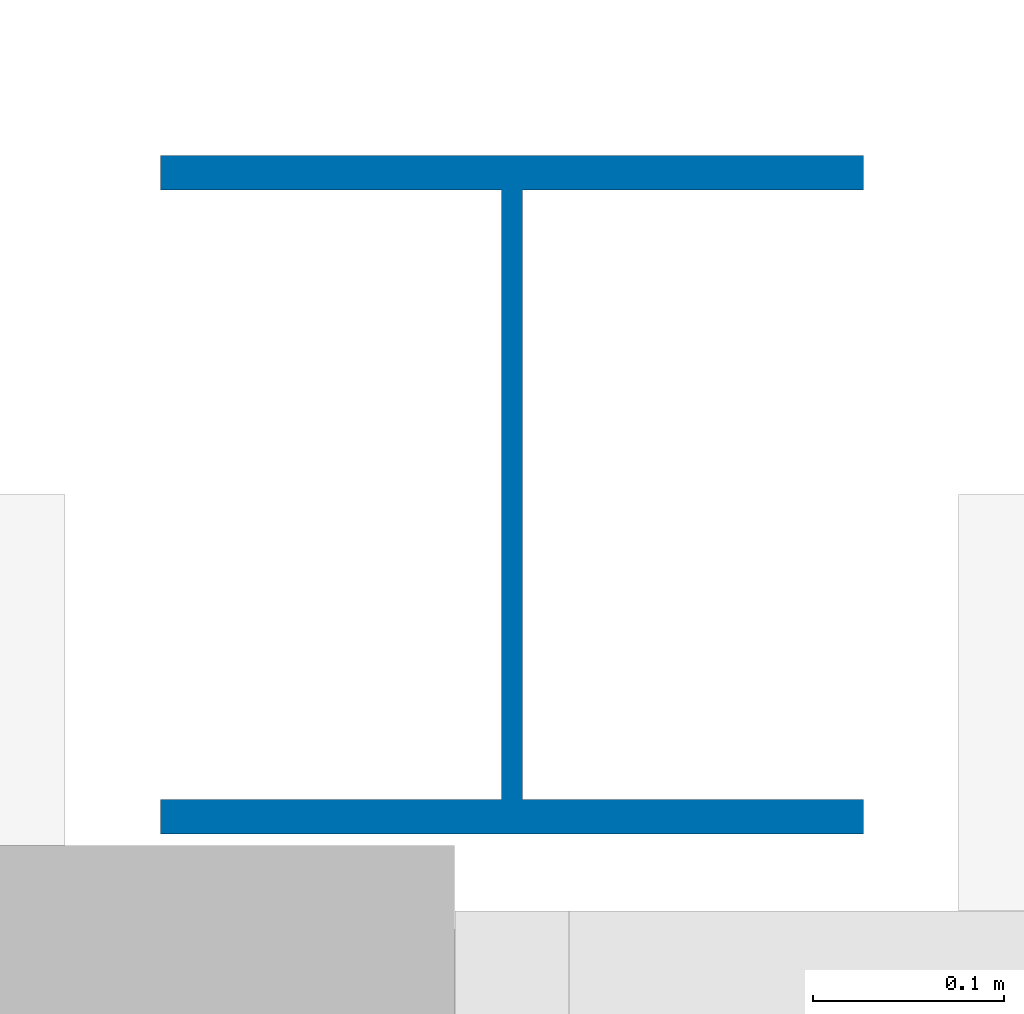
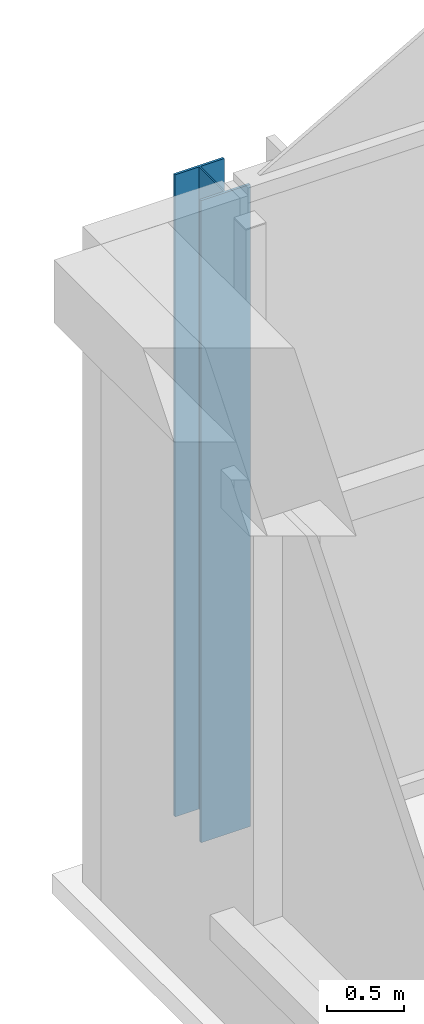
# One storey, part 11 of 93: 1 column.
"""IFC4 building model written with IfcOpenShell, lengths in metres."""

from ifc_helpers import new_model, si_unit, direction, frame, origin, origin_2d, place, context, subcontext, project, spatial, i_section, extrude, material, material_profile, profile_set, type_object, element, save


model = new_model("IFC4")

# Units and contexts
model_context = context("Model", 3, precision=1e-05, world=origin(), true_north=direction((0.0, 1.0)))
body_context = subcontext(model_context, "Body", "Model", "MODEL_VIEW")
ifc_project = project(units=[si_unit("LENGTHUNIT", "METRE"), si_unit("AREAUNIT", "SQUARE_METRE"), si_unit("VOLUMEUNIT", "CUBIC_METRE"), si_unit("PLANEANGLEUNIT", "RADIAN"), si_unit("MASSUNIT", "GRAM", prefix="KILO")], contexts=[model_context])

# Site, building, storey
site_placement = place(None, origin())
site = spatial("IfcSite", under=ifc_project, at=site_placement, CompositionType="ELEMENT")
building_placement = place(site_placement, origin())
building = spatial("IfcBuilding", under=site, at=building_placement, Name="Verrick Yard Athletic Hall", CompositionType="ELEMENT")
storey_placement = place(building_placement, frame((0.0, 0.0, 8.800048828125)))
storey = spatial("IfcBuildingStorey", under=building, at=storey_placement, Name="L02", CompositionType="ELEMENT", Elevation=8.800048828125)

# Column
ifc_material = material(Name="Structural steel 350W (CSA G40.21)", Category="steel")
ifc_material_profile = material_profile(ifc_material, i_section(OverallWidth=0.368896484375, OverallDepth=0.35595703125, WebThickness=0.01123046875, FlangeThickness=0.01806640625, at=origin_2d()), Name="W360x134")
ifc_profile_set = profile_set([ifc_material_profile], Name="Structural steel 350W (CSA G40.21)")
column_type = type_object("IfcColumnType", Name="HB column W360x134", PredefinedType="COLUMN", material=ifc_profile_set)
column_placement = place(storey_placement, frame((121.60009765625, 108.0, 0.0), z_axis=(0.0, 0.0, 1.0), x_axis=(1.0, 0.0, 0.0)))
element("IfcColumn", 1, at=column_placement, inside=storey, type_object=column_type, Name="HB-C-HAW6-L02", PredefinedType="COLUMN", context=body_context, shape_type="SweptSolid", body=[
    extrude(i_section(OverallWidth=0.368896484375, OverallDepth=0.35595703125, WebThickness=0.01123046875, FlangeThickness=0.01806640625, at=origin_2d()), origin(), (0.0, 0.0, 1.0), 5.089111328125),
])

save(model, "model.ifc")
